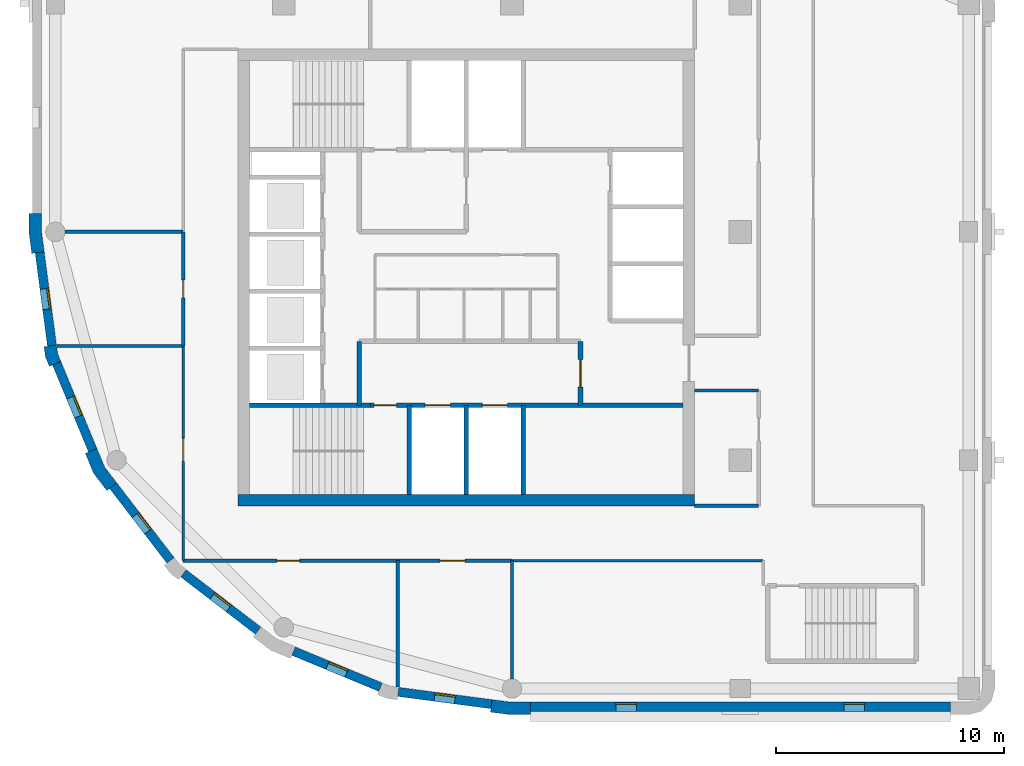
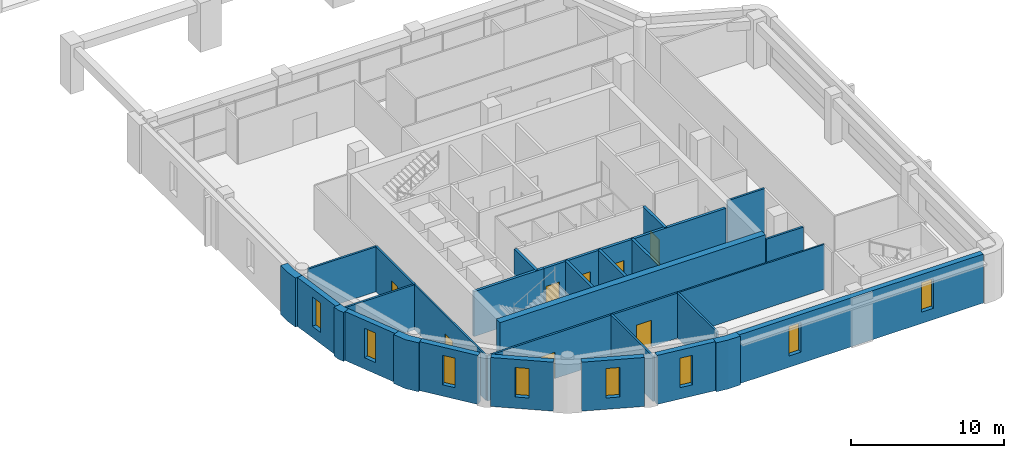
# One storey, part 5 of 11: 29 walls, 8 doors, 8 windows, 16 openings.
"""IFC4 building model written with IfcOpenShell, lengths in metres."""

import ifcopenshell
import ifcopenshell.guid

model = None  # the IFC model being written
_history = None  # IfcOwnerHistory: only IFC2X3 demands one
_inside = {}  # id of a spatial element -> (the spatial element, [elements in it])
_under = {}  # id of a project, library or spatial element -> (it, [spatial elements below it])
_declared = {}  # id of a project -> (the project, [libraries it declares])
_typed = {}  # id of a type object -> (the type object, [elements of that type])
_made_of = {}  # id of a material, layer set ... -> (it, [elements and type objects made of it])


def new_model(schema):
    """Start an empty IFC model of exactly this schema.

    Asked for "IFC4X3", IfcOpenShell would pick the latest addendum, in which some entities
    have other attributes; the version numbers below select the first issue.
    IFC2X3 requires an IfcOwnerHistory on every rooted entity: one is made here for all.
    """
    global model, _history
    if schema == "IFC4X3":
        model = ifcopenshell.file(schema_version=(4, 3, 0, 0))
    else:
        model = ifcopenshell.file(schema=schema)
    _inside.clear()
    _under.clear()
    _declared.clear()
    _typed.clear()
    _made_of.clear()
    _history = None
    if model.schema == "IFC2X3":
        org = make("IfcOrganization", Name="unknown")
        user = make(
            "IfcPersonAndOrganization",
            ThePerson=make("IfcPerson", FamilyName="unknown"),
            TheOrganization=org,
        )
        app = make(
            "IfcApplication",
            ApplicationDeveloper=org,
            Version="unknown",
            ApplicationFullName="unknown",
            ApplicationIdentifier="unknown",
        )
        _history = make(
            "IfcOwnerHistory",
            OwningUser=user,
            OwningApplication=app,
            ChangeAction="ADDED",
            CreationDate=0,
        )
    return model


def make(cls, **values):
    """One entity of the class cls with the attributes given. An attribute that is None is left unset."""
    return model.create_entity(
        cls, **{name: value for name, value in values.items() if value is not None}
    )


def rooted(cls, **values):
    """An entity with a GlobalId (a new one), such as an element, a storey or a relation."""
    return make(cls, GlobalId=ifcopenshell.guid.new(), OwnerHistory=_history, **values)


def si_unit(unit_type, name, prefix=None):
    """IfcSIUnit, for example si_unit("LENGTHUNIT", "METRE", prefix="MILLI")."""
    return make("IfcSIUnit", UnitType=unit_type, Prefix=prefix, Name=name)


def assignment(units):
    """IfcUnitAssignment: the units of a project."""
    return None if units is None else make("IfcUnitAssignment", Units=units)


def point(xyz):
    """IfcCartesianPoint."""
    return None if xyz is None else make("IfcCartesianPoint", Coordinates=xyz)


def direction(xyz):
    """IfcDirection."""
    return None if xyz is None else make("IfcDirection", DirectionRatios=xyz)


def frame(location, z_axis=None, x_axis=None):
    """IfcAxis2Placement3D, a coordinate frame: its origin and axes. An axis left out is left unset."""
    return make(
        "IfcAxis2Placement3D",
        Location=point(location),
        Axis=direction(z_axis),
        RefDirection=direction(x_axis),
    )


def frame_2d(location, x_axis=None):
    """IfcAxis2Placement2D, a coordinate frame in the plane: its origin and x axis."""
    return make(
        "IfcAxis2Placement2D", Location=point(location), RefDirection=direction(x_axis)
    )


def origin():
    """The frame at (0, 0, 0) with its axes left unset."""
    return frame((0.0, 0.0, 0.0))


def place(relative_to, where):
    """IfcLocalPlacement: puts the frame where relative to a parent placement (None: the world)."""
    return make(
        "IfcLocalPlacement", PlacementRelTo=relative_to, RelativePlacement=where
    )


def context(
    kind, dimensions, precision=None, world=None, true_north=None, identifier=None
):
    """IfcGeometricRepresentationContext, for example the 3D "Model" context."""
    return make(
        "IfcGeometricRepresentationContext",
        ContextIdentifier=identifier,
        ContextType=kind,
        CoordinateSpaceDimension=dimensions,
        Precision=precision,
        WorldCoordinateSystem=world,
        TrueNorth=true_north,
    )


def subcontext(parent, identifier, kind, view, scale=None):
    """IfcGeometricRepresentationSubContext, for example "Body" below "Model"."""
    return make(
        "IfcGeometricRepresentationSubContext",
        ContextIdentifier=identifier,
        ContextType=kind,
        ParentContext=parent,
        TargetScale=scale,
        TargetView=view,
    )


def project(units=None, contexts=None):
    """IfcProject with its units and contexts."""
    return rooted(
        "IfcProject",
        Name="project",
        RepresentationContexts=contexts,
        UnitsInContext=assignment(units),
    )


def spatial(cls, under=None, at=None, **own):
    """A site, building, storey or space (cls), placed at a placement, below another one or the project."""
    s = rooted(cls, ObjectPlacement=at, **own)
    if under is not None:
        _under.setdefault(under.id(), (under, []))[1].append(s)
    return s


def polyline(points):
    """IfcPolyline through the points."""
    return make("IfcPolyline", Points=[point(p) for p in points])


def profile(cls, at=None, kind="AREA", **sizes):
    """A parametric profile (cls). Its sizes go by their IFC names, for example OverallWidth=200.0."""
    return make(cls, ProfileType=kind, Position=at, **sizes)


def rectangle(**sizes):
    """IfcRectangleProfileDef."""
    return profile("IfcRectangleProfileDef", **sizes)


def outline(outer, holes=None, kind="AREA"):
    """IfcArbitraryClosedProfileDef: a profile drawn as a closed curve; with holes, ...WithVoids."""
    if holes is None:
        return make("IfcArbitraryClosedProfileDef", ProfileType=kind, OuterCurve=outer)
    return make(
        "IfcArbitraryProfileDefWithVoids",
        ProfileType=kind,
        OuterCurve=outer,
        InnerCurves=holes,
    )


def extrude(swept, where, along, depth):
    """IfcExtrudedAreaSolid: the profile swept, set in the frame where, extruded along a direction by depth."""
    return make(
        "IfcExtrudedAreaSolid",
        SweptArea=swept,
        Position=where,
        ExtrudedDirection=direction(along),
        Depth=depth,
    )


def shape(context_of_items, identifier, shape_type, items):
    """IfcShapeRepresentation: the items that make up one representation, for example the "Body"."""
    return make(
        "IfcShapeRepresentation",
        ContextOfItems=context_of_items,
        RepresentationIdentifier=identifier,
        RepresentationType=shape_type,
        Items=items,
    )


def material(Name=None, Category=None):
    """IfcMaterial."""
    return make("IfcMaterial", Name=Name, Category=Category)


def layer(
    of_material, thickness, ventilated=None, Name=None, Category=None, Priority=None
):
    """IfcMaterialLayer: one layer of a wall or slab, of a material (None: an air gap)."""
    return make(
        "IfcMaterialLayer",
        Material=of_material,
        LayerThickness=thickness,
        IsVentilated=ventilated,
        Name=Name,
        Category=Category,
        Priority=Priority,
    )


def layer_set(layers, Name=None):
    """IfcMaterialLayerSet."""
    return make("IfcMaterialLayerSet", MaterialLayers=layers, LayerSetName=Name)


def made_of(thing, what):
    """Note that an element or type object is made of a material, layer set ...; save() writes the relation."""
    if what is not None:
        _made_of.setdefault(what.id(), (what, []))[1].append(thing)
    return thing


def type_object(cls, material=None, **own):
    """A type object (cls), such as IfcWallType, which elements share."""
    return made_of(rooted(cls, **own), material)


def element(
    cls,
    number,
    at=None,
    inside=None,
    cuts=None,
    type_object=None,
    material=None,
    context=None,
    identifier="Body",
    shape_type=None,
    held_by="IfcProductDefinitionShape",
    body=None,
    shapes=None,
    **own,
):
    """One element of the class cls, such as IfcWall. Its Tag is "e" and its number.

    at: its placement. inside: the storey or other place that contains it. cuts: it is an
    opening in that element (IfcRelVoidsElement). A single representation is given by context,
    identifier, shape_type and body (its items); several are given by shapes. held_by: the class
    of the entity that holds the representations. save() writes the other relations.
    """
    e = rooted(cls, Tag="e%d" % number, ObjectPlacement=at, **own)
    if body is not None:
        shapes = [shape(context, identifier, shape_type, body)]
    if shapes is not None:
        e.Representation = make(held_by, Representations=shapes)
    if inside is not None:
        _inside.setdefault(inside.id(), (inside, []))[1].append(e)
    if cuts is not None:
        rooted(
            "IfcRelVoidsElement", RelatingBuildingElement=cuts, RelatedOpeningElement=e
        )
    if type_object is not None:
        _typed.setdefault(type_object.id(), (type_object, []))[1].append(e)
    return made_of(e, material)


def fill(opening, filler):
    """IfcRelFillsElement: the door or window that sits in an opening."""
    return rooted(
        "IfcRelFillsElement",
        RelatingOpeningElement=opening,
        RelatedBuildingElement=filler,
    )


def aggregate(whole, parts):
    """IfcRelAggregates: a whole, such as a stair, and the parts it consists of."""
    return rooted("IfcRelAggregates", RelatingObject=whole, RelatedObjects=parts)


def save(model, path):
    """Write the relations noted so far, then the file.

    IfcRelAggregates (storeys below a building ...), IfcRelContainedInSpatialStructure (elements
    in a storey), IfcRelDefinesByType, IfcRelAssociatesMaterial and IfcRelDeclares: one each for
    every whole, place, type object, material and project.
    """
    for whole, parts in _under.values():
        aggregate(whole, parts)
    for where, things in _inside.values():
        rooted(
            "IfcRelContainedInSpatialStructure",
            RelatedElements=things,
            RelatingStructure=where,
        )
    for kind, things in _typed.values():
        rooted("IfcRelDefinesByType", RelatedObjects=things, RelatingType=kind)
    for what, things in _made_of.values():
        rooted("IfcRelAssociatesMaterial", RelatedObjects=things, RelatingMaterial=what)
    for by, libraries in _declared.values():
        rooted("IfcRelDeclares", RelatingContext=by, RelatedDefinitions=libraries)
    model.write(path)


model = new_model("IFC4")

# Units and contexts
model_context = context("Model", 3, precision=1e-05, world=origin(), true_north=direction((0.0, 1.0)))
body_context = subcontext(model_context, "Body", "Model", "MODEL_VIEW")
ifc_project = project(units=[si_unit("LENGTHUNIT", "METRE"), si_unit("AREAUNIT", "SQUARE_METRE"), si_unit("VOLUMEUNIT", "CUBIC_METRE"), si_unit("PLANEANGLEUNIT", "RADIAN"), si_unit("MASSUNIT", "GRAM", prefix="KILO")], contexts=[model_context])

# Site, building, storey
site_placement = place(None, origin())
site = spatial("IfcSite", under=ifc_project, at=site_placement, CompositionType="ELEMENT")
building_placement = place(site_placement, origin())
building = spatial("IfcBuilding", under=site, at=building_placement, Name="Qaws Garden Tower", CompositionType="ELEMENT")
storey_placement = place(building_placement, frame((0.0, 0.0, 317.699951171875)))
storey = spatial("IfcBuildingStorey", under=building, at=storey_placement, Name="L77", CompositionType="ELEMENT", Elevation=317.699951171875)

# Wall, openings, windows
ifc_material_1 = material(Name="Clay facing brick masonry", Category="masonry")
ifc_layer_1 = layer(ifc_material_1, 0.39990234375)
ifc_layer_set_1 = layer_set([ifc_layer_1], Name="Clay facing brick masonry")
wall_type_1 = type_object("IfcWallType", Name="Brick infill wall 400", PredefinedType="SOLIDWALL", material=ifc_layer_set_1)
wall_1_placement = place(storey_placement, frame((20.800048828125, -0.800048828125, 0.0), z_axis=(0.0, 0.0, 1.0), x_axis=(1.0, 0.0, 0.0)))
wall_1 = element("IfcWall", 1, at=wall_1_placement, inside=storey, type_object=wall_type_1, Name="E-L77-infill-00", PredefinedType="SOLIDWALL", context=body_context, shape_type="SweptSolid", body=[
    extrude(rectangle(XDim=18.39990234375, YDim=0.39990234375, at=frame_2d((9.199951171875, 0.0))), origin(), (0.0, 0.0, 1.0), 3.900146484375),
])
opening_1_placement = place(wall_1_placement, frame((3.75, 0.0, 0.89990234375)))
opening_1 = element("IfcOpeningElement", 2, at=opening_1_placement, cuts=wall_1, Name="Opening W09", PredefinedType="OPENING", context=body_context, shape_type="SweptSolid", body=[
    extrude(rectangle(XDim=0.89990234375, YDim=2.35009765625, at=frame_2d((0.449951171875, 1.175048828125))), frame((0.0, 0.2099609375, 0.0), z_axis=(0.0, -1.0, 0.0), x_axis=(1.0, 0.0, 0.0)), (0.0, 0.0, 1.0), 0.419921875),
])
opening_2_placement = place(wall_1_placement, frame((13.75, 0.0, 0.89990234375)))
opening_2 = element("IfcOpeningElement", 3, at=opening_2_placement, cuts=wall_1, Name="Opening W09", PredefinedType="OPENING", context=body_context, shape_type="SweptSolid", body=[
    extrude(rectangle(XDim=0.89990234375, YDim=2.35009765625, at=frame_2d((0.449951171875, 1.175048828125))), frame((0.0, 0.2099609375, 0.0), z_axis=(0.0, -1.0, 0.0), x_axis=(1.0, 0.0, 0.0)), (0.0, 0.0, 1.0), 0.419921875),
])
ifc_material_2 = material(Name="Aluminium framed window, clear glazing", Category="aluminium")
window_type = type_object("IfcWindowType", Name="Slit window 900 x 2350", PartitioningType="SINGLE_PANEL", PredefinedType="WINDOW", material=ifc_material_2)
window_1_placement = place(opening_1_placement, origin())
window_1 = element("IfcWindow", 4, at=window_1_placement, inside=storey, type_object=window_type, Name="E-L77-window-00-0", OverallHeight=2.35009765625, OverallWidth=0.89990234375, PartitioningType="SINGLE_PANEL", PredefinedType="WINDOW", context=body_context, shape_type="SweptSolid", body=[
    extrude(rectangle(XDim=0.89990234375, YDim=2.35009765625, at=frame_2d((0.449951171875, 1.175048828125))), frame((0.0, 0.159912109375, 0.0), z_axis=(0.0, -1.0, 0.0), x_axis=(1.0, 0.0, 0.0)), (0.0, 0.0, 1.0), 0.06005859375),
])
fill(opening_1, window_1)
window_2_placement = place(opening_2_placement, origin())
window_2 = element("IfcWindow", 5, at=window_2_placement, inside=storey, type_object=window_type, Name="E-L77-window-01-0", OverallHeight=2.35009765625, OverallWidth=0.89990234375, PartitioningType="SINGLE_PANEL", PredefinedType="WINDOW", context=body_context, shape_type="SweptSolid", body=[
    extrude(rectangle(XDim=0.89990234375, YDim=2.35009765625, at=frame_2d((0.449951171875, 1.175048828125))), frame((0.0, 0.159912109375, 0.0), z_axis=(0.0, -1.0, 0.0), x_axis=(1.0, 0.0, 0.0)), (0.0, 0.0, 1.0), 0.06005859375),
])
fill(opening_2, window_2)

# Wall, opening, window
wall_2_placement = place(storey_placement, frame((-0.688720703125, 19.102294921875, 0.0), z_axis=(0.0, 0.0, 1.0), x_axis=(0.130514280502, -0.991446429508, 0.0)))
wall_2 = element("IfcWall", 6, at=wall_2_placement, inside=storey, type_object=wall_type_1, Name="E-L77-infill-21", PredefinedType="SOLIDWALL", context=body_context, shape_type="SweptSolid", body=[
    extrude(rectangle(XDim=4.120849609375, YDim=0.39990234375, at=frame_2d((2.060546875, 0.0))), origin(), (0.0, 0.0, 1.0), 3.900146484375),
])
opening_3_placement = place(wall_2_placement, frame((1.610595703125, 0.0, 0.89990234375)))
opening_3 = element("IfcOpeningElement", 7, at=opening_3_placement, cuts=wall_2, Name="Opening W09", PredefinedType="OPENING", context=body_context, shape_type="SweptSolid", body=[
    extrude(rectangle(XDim=0.89990234375, YDim=2.35009765625, at=frame_2d((0.449951171875, 1.175048828125))), frame((0.0, 0.2099609375, 0.0), z_axis=(0.0, -1.0, 0.0), x_axis=(1.0, 0.0, 0.0)), (0.0, 0.0, 1.0), 0.419921875),
])
window_3_placement = place(opening_3_placement, origin())
window_3 = element("IfcWindow", 8, at=window_3_placement, inside=storey, type_object=window_type, Name="E-L77-window-21-0", OverallHeight=2.35009765625, OverallWidth=0.89990234375, PartitioningType="SINGLE_PANEL", PredefinedType="WINDOW", context=body_context, shape_type="SweptSolid", body=[
    extrude(rectangle(XDim=0.89990234375, YDim=2.35009765625, at=frame_2d((0.449951171875, 1.175048828125))), frame((0.0, 0.159912109375, 0.0), z_axis=(0.0, -1.0, 0.0), x_axis=(1.0, 0.0, 0.0)), (0.0, 0.0, 1.0), 0.06005859375),
])
fill(opening_3, window_3)

wall_3_placement = place(storey_placement, frame((0.05712890625, 14.240234375, 0.0), z_axis=(0.0, 0.0, 1.0), x_axis=(0.382721546029, -0.923863744394, 0.0)))
wall_3 = element("IfcWall", 9, at=wall_3_placement, inside=storey, type_object=wall_type_1, Name="E-L77-infill-22", PredefinedType="SOLIDWALL", context=body_context, shape_type="SweptSolid", body=[
    extrude(rectangle(XDim=4.120849609375, YDim=0.39990234375, at=frame_2d((2.060546875, 0.0))), origin(), (0.0, 0.0, 1.0), 3.900146484375),
])
opening_4_placement = place(wall_3_placement, frame((1.610595703125, 0.0, 0.89990234375)))
opening_4 = element("IfcOpeningElement", 10, at=opening_4_placement, cuts=wall_3, Name="Opening W09", PredefinedType="OPENING", context=body_context, shape_type="SweptSolid", body=[
    extrude(rectangle(XDim=0.89990234375, YDim=2.35009765625, at=frame_2d((0.449951171875, 1.175048828125))), frame((0.0, 0.2099609375, 0.0), z_axis=(0.0, -1.0, 0.0), x_axis=(1.0, 0.0, 0.0)), (0.0, 0.0, 1.0), 0.419921875),
])
window_4_placement = place(opening_4_placement, origin())
window_4 = element("IfcWindow", 11, at=window_4_placement, inside=storey, type_object=window_type, Name="E-L77-window-22-0", OverallHeight=2.35009765625, OverallWidth=0.89990234375, PartitioningType="SINGLE_PANEL", PredefinedType="WINDOW", context=body_context, shape_type="SweptSolid", body=[
    extrude(rectangle(XDim=0.89990234375, YDim=2.35009765625, at=frame_2d((0.449951171875, 1.175048828125))), frame((0.0, 0.159912109375, 0.0), z_axis=(0.0, -1.0, 0.0), x_axis=(1.0, 0.0, 0.0)), (0.0, 0.0, 1.0), 0.06005859375),
])
fill(opening_4, window_4)

wall_4_placement = place(storey_placement, frame((2.53173828125, 8.87841796875, 0.0), z_axis=(0.0, 0.0, 1.0), x_axis=(0.608759824817, -0.793354571229, 0.0)))
wall_4 = element("IfcWall", 12, at=wall_4_placement, inside=storey, type_object=wall_type_1, Name="E-L77-infill-23", PredefinedType="SOLIDWALL", context=body_context, shape_type="SweptSolid", body=[
    extrude(rectangle(XDim=4.12109375, YDim=0.39990234375, at=frame_2d((2.060546875, 0.0))), origin(), (0.0, 0.0, 1.0), 3.900146484375),
])
opening_5_placement = place(wall_4_placement, frame((1.610595703125, 0.0, 0.89990234375)))
opening_5 = element("IfcOpeningElement", 13, at=opening_5_placement, cuts=wall_4, Name="Opening W09", PredefinedType="OPENING", context=body_context, shape_type="SweptSolid", body=[
    extrude(rectangle(XDim=0.89990234375, YDim=2.35009765625, at=frame_2d((0.449951171875, 1.175048828125))), frame((0.0, 0.2099609375, 0.0), z_axis=(0.0, -1.0, 0.0), x_axis=(1.0, 0.0, 0.0)), (0.0, 0.0, 1.0), 0.419921875),
])
window_5_placement = place(opening_5_placement, origin())
window_5 = element("IfcWindow", 14, at=window_5_placement, inside=storey, type_object=window_type, Name="E-L77-window-23-0", OverallHeight=2.35009765625, OverallWidth=0.89990234375, PartitioningType="SINGLE_PANEL", PredefinedType="WINDOW", context=body_context, shape_type="SweptSolid", body=[
    extrude(rectangle(XDim=0.89990234375, YDim=2.35009765625, at=frame_2d((0.449951171875, 1.175048828125))), frame((0.0, 0.159912109375, 0.0), z_axis=(0.0, -1.0, 0.0), x_axis=(1.0, 0.0, 0.0)), (0.0, 0.0, 1.0), 0.06005859375),
])
fill(opening_5, window_5)

wall_5_placement = place(storey_placement, frame((5.60888671875, 5.04052734375, 0.0), z_axis=(0.0, 0.0, 1.0), x_axis=(0.793354571229, -0.608759824817, 0.0)))
wall_5 = element("IfcWall", 15, at=wall_5_placement, inside=storey, type_object=wall_type_1, Name="E-L77-infill-24", PredefinedType="SOLIDWALL", context=body_context, shape_type="SweptSolid", body=[
    extrude(rectangle(XDim=4.12109375, YDim=0.39990234375, at=frame_2d((2.060546875, 0.0))), origin(), (0.0, 0.0, 1.0), 3.900146484375),
])
opening_6_placement = place(wall_5_placement, frame((1.610595703125, 0.0, 0.89990234375)))
opening_6 = element("IfcOpeningElement", 16, at=opening_6_placement, cuts=wall_5, Name="Opening W09", PredefinedType="OPENING", context=body_context, shape_type="SweptSolid", body=[
    extrude(rectangle(XDim=0.89990234375, YDim=2.35009765625, at=frame_2d((0.449951171875, 1.175048828125))), frame((0.0, 0.2099609375, 0.0), z_axis=(0.0, -1.0, 0.0), x_axis=(1.0, 0.0, 0.0)), (0.0, 0.0, 1.0), 0.419921875),
])
window_6_placement = place(opening_6_placement, origin())
window_6 = element("IfcWindow", 17, at=window_6_placement, inside=storey, type_object=window_type, Name="E-L77-window-24-0", OverallHeight=2.35009765625, OverallWidth=0.89990234375, PartitioningType="SINGLE_PANEL", PredefinedType="WINDOW", context=body_context, shape_type="SweptSolid", body=[
    extrude(rectangle(XDim=0.89990234375, YDim=2.35009765625, at=frame_2d((0.449951171875, 1.175048828125))), frame((0.0, 0.159912109375, 0.0), z_axis=(0.0, -1.0, 0.0), x_axis=(1.0, 0.0, 0.0)), (0.0, 0.0, 1.0), 0.06005859375),
])
fill(opening_6, window_6)

wall_6_placement = place(storey_placement, frame((10.43310546875, 1.63427734375, 0.0), z_axis=(0.0, 0.0, 1.0), x_axis=(0.923863744394, -0.382721546029, 0.0)))
wall_6 = element("IfcWall", 18, at=wall_6_placement, inside=storey, type_object=wall_type_1, Name="E-L77-infill-25", PredefinedType="SOLIDWALL", context=body_context, shape_type="SweptSolid", body=[
    extrude(rectangle(XDim=4.120849609375, YDim=0.39990234375, at=frame_2d((2.060546875, 0.0))), origin(), (0.0, 0.0, 1.0), 3.900146484375),
])
opening_7_placement = place(wall_6_placement, frame((1.610595703125, 0.0, 0.89990234375)))
opening_7 = element("IfcOpeningElement", 19, at=opening_7_placement, cuts=wall_6, Name="Opening W09", PredefinedType="OPENING", context=body_context, shape_type="SweptSolid", body=[
    extrude(rectangle(XDim=0.89990234375, YDim=2.35009765625, at=frame_2d((0.449951171875, 1.175048828125))), frame((0.0, 0.2099609375, 0.0), z_axis=(0.0, -1.0, 0.0), x_axis=(1.0, 0.0, 0.0)), (0.0, 0.0, 1.0), 0.419921875),
])
window_7_placement = place(opening_7_placement, origin())
window_7 = element("IfcWindow", 20, at=window_7_placement, inside=storey, type_object=window_type, Name="E-L77-window-25-0", OverallHeight=2.35009765625, OverallWidth=0.89990234375, PartitioningType="SINGLE_PANEL", PredefinedType="WINDOW", context=body_context, shape_type="SweptSolid", body=[
    extrude(rectangle(XDim=0.89990234375, YDim=2.35009765625, at=frame_2d((0.449951171875, 1.175048828125))), frame((0.0, 0.159912109375, 0.0), z_axis=(0.0, -1.0, 0.0), x_axis=(1.0, 0.0, 0.0)), (0.0, 0.0, 1.0), 0.06005859375),
])
fill(opening_7, window_7)

wall_7_placement = place(storey_placement, frame((15.0166015625, -0.15087890625, 0.0), z_axis=(0.0, 0.0, 1.0), x_axis=(0.991446429508, -0.130514280502, 0.0)))
wall_7 = element("IfcWall", 21, at=wall_7_placement, inside=storey, type_object=wall_type_1, Name="E-L77-infill-26", PredefinedType="SOLIDWALL", context=body_context, shape_type="SweptSolid", body=[
    extrude(rectangle(XDim=4.120849609375, YDim=0.39990234375, at=frame_2d((2.060546875, 0.0))), origin(), (0.0, 0.0, 1.0), 3.900146484375),
])
opening_8_placement = place(wall_7_placement, frame((1.610595703125, 0.0, 0.89990234375)))
opening_8 = element("IfcOpeningElement", 22, at=opening_8_placement, cuts=wall_7, Name="Opening W09", PredefinedType="OPENING", context=body_context, shape_type="SweptSolid", body=[
    extrude(rectangle(XDim=0.89990234375, YDim=2.35009765625, at=frame_2d((0.449951171875, 1.175048828125))), frame((0.0, 0.2099609375, 0.0), z_axis=(0.0, -1.0, 0.0), x_axis=(1.0, 0.0, 0.0)), (0.0, 0.0, 1.0), 0.419921875),
])
window_8_placement = place(opening_8_placement, origin())
window_8 = element("IfcWindow", 23, at=window_8_placement, inside=storey, type_object=window_type, Name="E-L77-window-26-0", OverallHeight=2.35009765625, OverallWidth=0.89990234375, PartitioningType="SINGLE_PANEL", PredefinedType="WINDOW", context=body_context, shape_type="SweptSolid", body=[
    extrude(rectangle(XDim=0.89990234375, YDim=2.35009765625, at=frame_2d((0.449951171875, 1.175048828125))), frame((0.0, 0.159912109375, 0.0), z_axis=(0.0, -1.0, 0.0), x_axis=(1.0, 0.0, 0.0)), (0.0, 0.0, 1.0), 0.06005859375),
])
fill(opening_8, window_8)

# Walls
ifc_material_3 = material(Name="Clay facing brick masonry", Category="masonry")
ifc_layer_2 = layer(ifc_material_3, 0.550048828125)
ifc_layer_set_2 = layer_set([ifc_layer_2], Name="Clay facing brick masonry")
wall_type_2 = type_object("IfcWallType", Name="Brick kink pier 550 x 600", PredefinedType="SOLIDWALL", material=ifc_layer_set_2)
placement = place(storey_placement, origin())
element("IfcWall", 24, at=placement, inside=storey, type_object=wall_type_2, Name="E-L77-pier-22", PredefinedType="SOLIDWALL", context=body_context, shape_type="SweptSolid", body=[
    extrude(outline(polyline([(-0.34912109375, 14.990478515625), (-0.497802734375, 14.970947265625), (-0.43896484375, 14.5234375), (-0.26611328125, 14.1064453125), (-0.127685546875, 14.163818359375), (0.241943359375, 14.31689453125), (0.096923828125, 14.6669921875), (0.04736328125, 15.042724609375), (-0.34912109375, 14.990478515625)])), origin(), (0.0, 0.0, 1.0), 3.900146484375),
])
ifc_material_4 = material(Name="Clay facing brick masonry", Category="masonry")
ifc_layer_3 = layer(ifc_material_4, 0.550048828125)
ifc_layer_set_3 = layer_set([ifc_layer_3], Name="Clay facing brick masonry")
wall_type_3 = type_object("IfcWallType", Name="Brick pier 550 x 1600", PredefinedType="SOLIDWALL", material=ifc_layer_set_3)
element("IfcWall", 25, at=placement, inside=storey, type_object=wall_type_3, Name="E-L77-pier-00", PredefinedType="SOLIDWALL", context=body_context, shape_type="SweptSolid", body=[
    extrude(outline(polyline([(19.076416015625, -0.886962890625), (19.056640625, -1.03564453125), (19.924560546875, -1.14990234375), (20.800048828125, -1.14990234375), (20.800048828125, -1.0), (20.800048828125, -0.60009765625), (19.960693359375, -0.60009765625), (19.12841796875, -0.490478515625), (19.076416015625, -0.886962890625)])), origin(), (0.0, 0.0, 1.0), 3.900146484375),
])
element("IfcWall", 26, at=placement, inside=storey, type_object=wall_type_3, Name="E-L77-pier-21", PredefinedType="SOLIDWALL", context=body_context, shape_type="SweptSolid", body=[
    extrude(outline(polyline([(-1.0, 20.800048828125), (-1.14990234375, 20.800048828125), (-1.14990234375, 19.924560546875), (-1.03564453125, 19.056640625), (-0.886962890625, 19.076416015625), (-0.490478515625, 19.12841796875), (-0.60009765625, 19.960693359375), (-0.60009765625, 20.800048828125), (-1.0, 20.800048828125)])), origin(), (0.0, 0.0, 1.0), 3.900146484375),
])
element("IfcWall", 27, at=placement, inside=storey, type_object=wall_type_3, Name="E-L77-pier-23", PredefinedType="SOLIDWALL", context=body_context, shape_type="SweptSolid", body=[
    extrude(outline(polyline([(1.449462890625, 10.3564453125), (1.310791015625, 10.299072265625), (1.675048828125, 9.419921875), (2.254150390625, 8.665283203125), (2.373046875, 8.756591796875), (2.6904296875, 9.0), (2.1552734375, 9.697509765625), (1.819091796875, 10.509521484375), (1.449462890625, 10.3564453125)])), origin(), (0.0, 0.0, 1.0), 3.900146484375),
])
ifc_material_5 = material(Name="Concrete C60", Category="concrete")
ifc_layer_4 = layer(ifc_material_5, 0.199951171875)
ifc_layer_set_4 = layer_set([ifc_layer_4], Name="Concrete C60")
wall_type_4 = type_object("IfcWallType", Name="Core shaft wall 200 C60", PredefinedType="SHEAR", material=ifc_layer_set_4)
wall_12_placement = place(storey_placement, frame((8.5, 12.39990234375, 0.0), z_axis=(0.0, 0.0, 1.0), x_axis=(1.0, 0.0, 0.0)))
element("IfcWall", 28, at=wall_12_placement, inside=storey, type_object=wall_type_4, Name="Shaft wall", PredefinedType="SHEAR", context=body_context, shape_type="SweptSolid", body=[
    extrude(rectangle(XDim=5.300048828125, YDim=0.199951171875, at=frame_2d((2.64990234375, 0.0))), origin(), (0.0, 0.0, 1.0), 3.580078125),
])

# Wall, openings, doors
wall_13_placement = place(storey_placement, frame((13.800048828125, 12.39990234375, 0.0), z_axis=(0.0, 0.0, 1.0), x_axis=(1.0, 0.0, 0.0)))
wall_13 = element("IfcWall", 29, at=wall_13_placement, inside=storey, type_object=wall_type_4, Name="Shaft wall", PredefinedType="SHEAR", context=body_context, shape_type="SweptSolid", body=[
    extrude(rectangle(XDim=13.699951171875, YDim=0.199951171875, at=frame_2d((6.85009765625, 0.0))), origin(), (0.0, 0.0, 1.0), 3.580078125),
])
opening_9_placement = place(wall_13_placement, frame((2.39990234375, 0.0, 0.0)))
opening_9 = element("IfcOpeningElement", 30, at=opening_9_placement, cuts=wall_13, Name="Opening LD06", PredefinedType="OPENING", context=body_context, shape_type="SweptSolid", body=[
    extrude(rectangle(XDim=1.10009765625, YDim=2.10009765625, at=frame_2d((0.550048828125, 1.050048828125))), frame((0.0, 0.10986328125, 0.0), z_axis=(0.0, -1.0, 0.0), x_axis=(1.0, 0.0, 0.0)), (0.0, 0.0, 1.0), 0.219970703125),
])
opening_10_placement = place(wall_13_placement, frame((4.89990234375, 0.0, 0.0)))
opening_10 = element("IfcOpeningElement", 31, at=opening_10_placement, cuts=wall_13, Name="Opening LD07", PredefinedType="OPENING", context=body_context, shape_type="SweptSolid", body=[
    extrude(rectangle(XDim=1.10009765625, YDim=2.10009765625, at=frame_2d((0.550048828125, 1.050048828125))), frame((0.0, 0.10986328125, 0.0), z_axis=(0.0, -1.0, 0.0), x_axis=(1.0, 0.0, 0.0)), (0.0, 0.0, 1.0), 0.219970703125),
])
opening_11_placement = place(wall_13_placement, frame((0.14990234375, 0.0, 0.0)))
opening_11 = element("IfcOpeningElement", 32, at=opening_11_placement, cuts=wall_13, Name="Opening SD10", PredefinedType="OPENING", context=body_context, shape_type="SweptSolid", body=[
    extrude(rectangle(XDim=1.0, YDim=2.10009765625, at=frame_2d((0.5, 1.050048828125))), frame((0.0, 0.10986328125, 0.0), z_axis=(0.0, -1.0, 0.0), x_axis=(1.0, 0.0, 0.0)), (0.0, 0.0, 1.0), 0.219970703125),
])
ifc_material_6 = material(Name="Steel S235", Category="steel")
door_type_1 = type_object("IfcDoorType", Name="Landing door 1100x2100", OperationType="DOUBLE_DOOR_SLIDING", PredefinedType="DOOR", material=ifc_material_6)
door_1_placement = place(opening_9_placement, origin())
door_1 = element("IfcDoor", 33, at=door_1_placement, inside=storey, type_object=door_type_1, Name="Lift FF1 landing door", OperationType="DOUBLE_DOOR_SLIDING", OverallHeight=2.10009765625, OverallWidth=1.10009765625, PredefinedType="DOOR", context=body_context, shape_type="SweptSolid", body=[
    extrude(rectangle(XDim=1.10009765625, YDim=2.10009765625, at=frame_2d((0.550048828125, 1.050048828125))), frame((0.0, 0.02490234375, 0.0), z_axis=(0.0, -1.0, 0.0), x_axis=(1.0, 0.0, 0.0)), (0.0, 0.0, 1.0), 0.050048828125),
])
fill(opening_9, door_1)
door_2_placement = place(opening_10_placement, origin())
door_2 = element("IfcDoor", 34, at=door_2_placement, inside=storey, type_object=door_type_1, Name="Lift FF2 landing door", OperationType="DOUBLE_DOOR_SLIDING", OverallHeight=2.10009765625, OverallWidth=1.10009765625, PredefinedType="DOOR", context=body_context, shape_type="SweptSolid", body=[
    extrude(rectangle(XDim=1.10009765625, YDim=2.10009765625, at=frame_2d((0.550048828125, 1.050048828125))), frame((0.0, 0.02490234375, 0.0), z_axis=(0.0, -1.0, 0.0), x_axis=(1.0, 0.0, 0.0)), (0.0, 0.0, 1.0), 0.050048828125),
])
fill(opening_10, door_2)
ifc_material_7 = material(Name="Steel S235", Category="steel")
door_type_2 = type_object("IfcDoorType", Name="Stair door 1000x2100", OperationType="SINGLE_SWING_RIGHT", PredefinedType="DOOR", material=ifc_material_7)
door_3_placement = place(opening_11_placement, frame((1.0, 0.0, 0.0), z_axis=(0.0, 0.0, 1.0), x_axis=(-1.0, 0.0, 0.0)))
door_3 = element("IfcDoor", 35, at=door_3_placement, inside=storey, type_object=door_type_2, Name="Stair 1 door", OperationType="SINGLE_SWING_LEFT", OverallHeight=2.10009765625, OverallWidth=1.0, PredefinedType="DOOR", context=body_context, shape_type="SweptSolid", body=[
    extrude(rectangle(XDim=1.0, YDim=2.10009765625, at=frame_2d((0.5, 1.050048828125))), frame((0.0, 0.02490234375, 0.0), z_axis=(0.0, -1.0, 0.0), x_axis=(1.0, 0.0, 0.0)), (0.0, 0.0, 1.0), 0.050048828125),
])
fill(opening_11, door_3)

# Walls
wall_14_placement = place(storey_placement, frame((13.300048828125, 12.39990234375, 0.0), z_axis=(0.0, 0.0, 1.0), x_axis=(0.0, 1.0, 0.0)))
element("IfcWall", 36, at=wall_14_placement, inside=storey, type_object=wall_type_4, Name="Shaft wall", PredefinedType="SHEAR", context=body_context, shape_type="SweptSolid", body=[
    extrude(rectangle(XDim=2.800048828125, YDim=0.199951171875, at=frame_2d((1.39990234375, 0.0))), origin(), (0.0, 0.0, 1.0), 3.580078125),
])
for number, where, z_axis, x_axis, name in (
    (37, (15.5, 8.5, 0.0), (0.0, 0.0, 1.0), (0.0, 1.0, 0.0), "Shaft wall"),
    (38, (18.0, 8.5, 0.0), (0.0, 0.0, 1.0), (0.0, 1.0, 0.0), "Shaft wall"),
    (39, (20.5, 8.5, 0.0), (0.0, 0.0, 1.0), (0.0, 1.0, 0.0), "Shaft wall"),
):
    element("IfcWall", number, at=place(storey_placement, frame(where, z_axis=z_axis, x_axis=x_axis)), inside=storey, type_object=wall_type_4, Name=name, PredefinedType="SHEAR", context=body_context, shape_type="SweptSolid", body=[
        extrude(rectangle(XDim=3.89990234375, YDim=0.199951171875, at=frame_2d((1.949951171875, 0.0))), origin(), (0.0, 0.0, 1.0), 3.580078125),
    ])

# Wall, opening, door
wall_15_placement = place(storey_placement, frame((23.0, 12.39990234375, 0.0), z_axis=(0.0, 0.0, 1.0), x_axis=(0.0, 1.0, 0.0)))
wall_15 = element("IfcWall", 40, at=wall_15_placement, inside=storey, type_object=wall_type_4, Name="Shaft wall", PredefinedType="SHEAR", context=body_context, shape_type="SweptSolid", body=[
    extrude(rectangle(XDim=2.800048828125, YDim=0.199951171875, at=frame_2d((1.39990234375, 0.0))), origin(), (0.0, 0.0, 1.0), 3.580078125),
])
opening_12_placement = place(wall_15_placement, frame((0.800048828125, 0.0, 0.0)))
opening_12 = element("IfcOpeningElement", 41, at=opening_12_placement, cuts=wall_15, Name="Opening FD15", PredefinedType="OPENING", context=body_context, shape_type="SweptSolid", body=[
    extrude(rectangle(XDim=1.199951171875, YDim=2.10009765625, at=frame_2d((0.60009765625, 1.050048828125))), frame((0.0, 0.10986328125, 0.0), z_axis=(0.0, -1.0, 0.0), x_axis=(1.0, 0.0, 0.0)), (0.0, 0.0, 1.0), 0.219970703125),
])
ifc_material_8 = material(Name="Steel S235", Category="steel")
door_type_3 = type_object("IfcDoorType", Name="Lobby door 1200x2100", OperationType="DOUBLE_DOOR_SINGLE_SWING", PredefinedType="DOOR", material=ifc_material_8)
door_4_placement = place(opening_12_placement, origin())
door_4 = element("IfcDoor", 42, at=door_4_placement, inside=storey, type_object=door_type_3, Name="Fire-fighting lobby door", OperationType="DOUBLE_DOOR_SINGLE_SWING", OverallHeight=2.10009765625, OverallWidth=1.199951171875, PredefinedType="DOOR", context=body_context, shape_type="SweptSolid", body=[
    extrude(rectangle(XDim=1.199951171875, YDim=2.10009765625, at=frame_2d((0.60009765625, 1.050048828125))), frame((0.0, 0.02490234375, 0.0), z_axis=(0.0, -1.0, 0.0), x_axis=(1.0, 0.0, 0.0)), (0.0, 0.0, 1.0), 0.050048828125),
])
fill(opening_12, door_4)

# Wall
ifc_material_9 = material(Name="Concrete C60", Category="concrete")
ifc_layer_5 = layer(ifc_material_9, 0.5)
ifc_layer_set_5 = layer_set([ifc_layer_5], Name="Concrete C60")
wall_type_5 = type_object("IfcWallType", Name="Core wall 500 C60", PredefinedType="SHEAR", material=ifc_layer_set_5)
wall_16_placement = place(storey_placement, frame((8.0, 8.25, 0.0), z_axis=(0.0, 0.0, 1.0), x_axis=(1.0, 0.0, 0.0)))
element("IfcWall", 43, at=wall_16_placement, inside=storey, type_object=wall_type_5, Name="Core wall L77 south", PredefinedType="SHEAR", context=body_context, shape_type="SweptSolid", body=[
    extrude(rectangle(XDim=20.0, YDim=0.5, at=frame_2d((10.0, 0.0))), origin(), (0.0, 0.0, 1.0), 3.900146484375),
])

# Wall, opening, door
ifc_material_10 = material(Name="Glass and aluminium framing", Category="aluminium")
ifc_layer_6 = layer(ifc_material_10, 0.1201171875)
ifc_layer_set_6 = layer_set([ifc_layer_6], Name="Glass and aluminium framing")
wall_type_6 = type_object("IfcWallType", Name="GLAZED PARTITION 120 EI 30", PredefinedType="PARTITIONING", material=ifc_layer_set_6)
wall_17_placement = place(storey_placement, frame((5.60009765625, 5.60009765625, 0.0), z_axis=(0.0, 0.0, 1.0), x_axis=(0.0, 1.0, 0.0)))
wall_17 = element("IfcWall", 44, at=wall_17_placement, inside=storey, type_object=wall_type_6, Name="O-L77-wall-024", PredefinedType="PARTITIONING", context=body_context, shape_type="SweptSolid", body=[
    extrude(rectangle(XDim=9.39990234375, YDim=0.1201171875, at=frame_2d((4.699951171875, 0.0))), origin(), (0.0, 0.0, 1.0), 3.580078125),
])
opening_13_placement = place(wall_17_placement, frame((4.35009765625, 0.0, 0.0)))
opening_13 = element("IfcOpeningElement", 45, at=opening_13_placement, cuts=wall_17, Name="Opening C801", PredefinedType="OPENING", context=body_context, shape_type="SweptSolid", body=[
    extrude(rectangle(XDim=1.0, YDim=2.10009765625, at=frame_2d((0.5, 1.050048828125))), frame((0.0, 0.070068359375, 0.0), z_axis=(0.0, -1.0, 0.0), x_axis=(1.0, 0.0, 0.0)), (0.0, 0.0, 1.0), 0.14013671875),
])
ifc_material_11 = material(Name="Timber door leaf", Category="wood")
door_type_4 = type_object("IfcDoorType", Name="TENANCY ENTRANCE DOOR 1000 X 2100", OperationType="SINGLE_SWING_LEFT", PredefinedType="DOOR", material=ifc_material_11)
door_5_placement = place(opening_13_placement, origin())
door_5 = element("IfcDoor", 46, at=door_5_placement, inside=storey, type_object=door_type_4, Name="O-L77-door-001", OperationType="SINGLE_SWING_RIGHT", OverallHeight=2.10009765625, OverallWidth=1.0, PredefinedType="DOOR", context=body_context, shape_type="SweptSolid", body=[
    extrude(rectangle(XDim=1.0, YDim=2.10009765625, at=frame_2d((0.5, 1.050048828125))), frame((0.0, 0.02490234375, 0.0), z_axis=(0.0, -1.0, 0.0), x_axis=(1.0, 0.0, 0.0)), (0.0, 0.0, 1.0), 0.050048828125),
])
fill(opening_13, door_5)

# Wall
wall_18_placement = place(storey_placement, frame((20.0, 5.60009765625, 0.0), z_axis=(0.0, 0.0, 1.0), x_axis=(1.0, 0.0, 0.0)))
element("IfcWall", 47, at=wall_18_placement, inside=storey, type_object=wall_type_6, Name="O-L77-wall-033", PredefinedType="PARTITIONING", context=body_context, shape_type="SweptSolid", body=[
    extrude(rectangle(XDim=11.0, YDim=0.1201171875, at=frame_2d((5.5, 0.0))), origin(), (0.0, 0.0, 1.0), 3.580078125),
])

# Wall, opening, door
ifc_material_12 = material(Name="Gypsum board partition")
ifc_layer_7 = layer(ifc_material_12, 0.14990234375)
ifc_layer_set_7 = layer_set([ifc_layer_7], Name="Gypsum board partition")
wall_type_7 = type_object("IfcWallType", Name="PARTITION 150 EI 60", PredefinedType="PARTITIONING", material=ifc_layer_set_7)
wall_19_placement = place(storey_placement, frame((5.60009765625, 15.0, 0.0), z_axis=(0.0, 0.0, 1.0), x_axis=(0.0, 1.0, 0.0)))
wall_19 = element("IfcWall", 48, at=wall_19_placement, inside=storey, type_object=wall_type_7, Name="O-L77-wall-001", PredefinedType="PARTITIONING", context=body_context, shape_type="SweptSolid", body=[
    extrude(rectangle(XDim=5.0, YDim=0.14990234375, at=frame_2d((2.5, 0.0))), origin(), (0.0, 0.0, 1.0), 3.580078125),
])
opening_14_placement = place(wall_19_placement, frame((2.10009765625, 0.0, 0.0)))
opening_14 = element("IfcOpeningElement", 49, at=opening_14_placement, cuts=wall_19, Name="Opening C802", PredefinedType="OPENING", context=body_context, shape_type="SweptSolid", body=[
    extrude(rectangle(XDim=0.800048828125, YDim=2.10009765625, at=frame_2d((0.39990234375, 1.050048828125))), frame((0.0, 0.0849609375, 0.0), z_axis=(0.0, -1.0, 0.0), x_axis=(1.0, 0.0, 0.0)), (0.0, 0.0, 1.0), 0.169921875),
])
ifc_material_13 = material(Name="Timber door leaf", Category="wood")
door_type_5 = type_object("IfcDoorType", Name="STORE DOOR 800 X 2100", OperationType="SINGLE_SWING_LEFT", PredefinedType="DOOR", material=ifc_material_13)
door_6_placement = place(opening_14_placement, origin())
door_6 = element("IfcDoor", 50, at=door_6_placement, inside=storey, type_object=door_type_5, Name="O-L77-door-002", OperationType="SINGLE_SWING_RIGHT", OverallHeight=2.10009765625, OverallWidth=0.800048828125, PredefinedType="DOOR", context=body_context, shape_type="SweptSolid", body=[
    extrude(rectangle(XDim=0.800048828125, YDim=2.10009765625, at=frame_2d((0.39990234375, 1.050048828125))), frame((0.0, 0.02490234375, 0.0), z_axis=(0.0, -1.0, 0.0), x_axis=(1.0, 0.0, 0.0)), (0.0, 0.0, 1.0), 0.050048828125),
])
fill(opening_14, door_6)

# Walls
wall_20_placement = place(storey_placement, frame((15.0, 0.06298828125, 0.0), z_axis=(0.0, 0.0, 1.0), x_axis=(0.0, 1.0, 0.0)))
element("IfcWall", 51, at=wall_20_placement, inside=storey, type_object=wall_type_7, Name="O-L77-wall-003", PredefinedType="PARTITIONING", context=body_context, shape_type="SweptSolid", body=[
    extrude(rectangle(XDim=5.537109375, YDim=0.14990234375, at=frame_2d((2.7685546875, 0.0))), origin(), (0.0, 0.0, 1.0), 3.580078125),
])
wall_21_placement = place(storey_placement, frame((20.0, 0.425048828125, 0.0), z_axis=(0.0, 0.0, 1.0), x_axis=(0.0, 1.0, 0.0)))
element("IfcWall", 52, at=wall_21_placement, inside=storey, type_object=wall_type_7, Name="O-L77-wall-004", PredefinedType="PARTITIONING", context=body_context, shape_type="SweptSolid", body=[
    extrude(rectangle(XDim=5.175048828125, YDim=0.14990234375, at=frame_2d((2.58740234375, 0.0))), origin(), (0.0, 0.0, 1.0), 3.580078125),
])

# Wall, openings, doors
wall_22_placement = place(storey_placement, frame((5.60009765625, 5.60009765625, 0.0), z_axis=(0.0, 0.0, 1.0), x_axis=(1.0, 0.0, 0.0)))
wall_22 = element("IfcWall", 53, at=wall_22_placement, inside=storey, type_object=wall_type_7, Name="O-L77-wall-012", PredefinedType="PARTITIONING", context=body_context, shape_type="SweptSolid", body=[
    extrude(rectangle(XDim=14.39990234375, YDim=0.14990234375, at=frame_2d((7.199951171875, 0.0))), origin(), (0.0, 0.0, 1.0), 3.580078125),
])
opening_15_placement = place(wall_22_placement, frame((4.10009765625, 0.0, 0.0)))
opening_15 = element("IfcOpeningElement", 54, at=opening_15_placement, cuts=wall_22, Name="Opening C806", PredefinedType="OPENING", context=body_context, shape_type="SweptSolid", body=[
    extrude(rectangle(XDim=1.0, YDim=2.10009765625, at=frame_2d((0.5, 1.050048828125))), frame((0.0, 0.0849609375, 0.0), z_axis=(0.0, -1.0, 0.0), x_axis=(1.0, 0.0, 0.0)), (0.0, 0.0, 1.0), 0.169921875),
])
opening_16_placement = place(wall_22_placement, frame((11.25, 0.0, 0.0)))
opening_16 = element("IfcOpeningElement", 55, at=opening_16_placement, cuts=wall_22, Name="Opening C807", PredefinedType="OPENING", context=body_context, shape_type="SweptSolid", body=[
    extrude(rectangle(XDim=1.10009765625, YDim=2.10009765625, at=frame_2d((0.550048828125, 1.050048828125))), frame((0.0, 0.0849609375, 0.0), z_axis=(0.0, -1.0, 0.0), x_axis=(1.0, 0.0, 0.0)), (0.0, 0.0, 1.0), 0.169921875),
])
ifc_material_14 = material(Name="Timber door leaf", Category="wood")
door_type_6 = type_object("IfcDoorType", Name="SERVICE ROOM DOOR 1100 X 2100", OperationType="SINGLE_SWING_LEFT", PredefinedType="DOOR", material=ifc_material_14)
door_7_placement = place(opening_16_placement, frame((1.10009765625, 0.0, 0.0), z_axis=(0.0, 0.0, 1.0), x_axis=(-1.0, 0.0, 0.0)))
door_7 = element("IfcDoor", 56, at=door_7_placement, inside=storey, type_object=door_type_6, Name="O-L77-door-007", OperationType="SINGLE_SWING_LEFT", OverallHeight=2.10009765625, OverallWidth=1.10009765625, PredefinedType="DOOR", context=body_context, shape_type="SweptSolid", body=[
    extrude(rectangle(XDim=1.10009765625, YDim=2.10009765625, at=frame_2d((0.550048828125, 1.050048828125))), frame((0.0, 0.02490234375, 0.0), z_axis=(0.0, -1.0, 0.0), x_axis=(1.0, 0.0, 0.0)), (0.0, 0.0, 1.0), 0.050048828125),
])
fill(opening_16, door_7)
door_8_placement = place(opening_15_placement, frame((1.0, 0.0, 0.0), z_axis=(0.0, 0.0, 1.0), x_axis=(-1.0, 0.0, 0.0)))
door_8 = element("IfcDoor", 57, at=door_8_placement, inside=storey, type_object=door_type_4, Name="O-L77-door-006", OperationType="SINGLE_SWING_LEFT", OverallHeight=2.10009765625, OverallWidth=1.0, PredefinedType="DOOR", context=body_context, shape_type="SweptSolid", body=[
    extrude(rectangle(XDim=1.0, YDim=2.10009765625, at=frame_2d((0.5, 1.050048828125))), frame((0.0, 0.02490234375, 0.0), z_axis=(0.0, -1.0, 0.0), x_axis=(1.0, 0.0, 0.0)), (0.0, 0.0, 1.0), 0.050048828125),
])
fill(opening_15, door_8)

# Walls
for number, where, z_axis, x_axis, name in (
    (58, (28.0, 8.0, 0.0), (0.0, 0.0, 1.0), (1.0, 0.0, 0.0), "O-L77-wall-013"),
    (59, (28.0, 13.050048828125, 0.0), (0.0, 0.0, 1.0), (1.0, 0.0, 0.0), "O-L77-wall-014"),
):
    element("IfcWall", number, at=place(storey_placement, frame(where, z_axis=z_axis, x_axis=x_axis)), inside=storey, type_object=wall_type_7, Name=name, PredefinedType="PARTITIONING", context=body_context, shape_type="SweptSolid", body=[
        extrude(rectangle(XDim=2.800048828125, YDim=0.14990234375, at=frame_2d((1.39990234375, 0.0))), origin(), (0.0, 0.0, 1.0), 3.580078125),
    ])
wall_23_placement = place(storey_placement, frame((0.06298828125, 15.0, 0.0), z_axis=(0.0, 0.0, 1.0), x_axis=(1.0, 0.0, 0.0)))
element("IfcWall", 60, at=wall_23_placement, inside=storey, type_object=wall_type_7, Name="O-L77-wall-015", PredefinedType="PARTITIONING", context=body_context, shape_type="SweptSolid", body=[
    extrude(rectangle(XDim=5.537109375, YDim=0.14990234375, at=frame_2d((2.7685546875, 0.0))), origin(), (0.0, 0.0, 1.0), 3.580078125),
])
wall_24_placement = place(storey_placement, frame((0.425048828125, 20.0, 0.0), z_axis=(0.0, 0.0, 1.0), x_axis=(1.0, 0.0, 0.0)))
element("IfcWall", 61, at=wall_24_placement, inside=storey, type_object=wall_type_7, Name="O-L77-wall-017", PredefinedType="PARTITIONING", context=body_context, shape_type="SweptSolid", body=[
    extrude(rectangle(XDim=5.175048828125, YDim=0.14990234375, at=frame_2d((2.58740234375, 0.0))), origin(), (0.0, 0.0, 1.0), 3.580078125),
])

save(model, "model.ifc")
